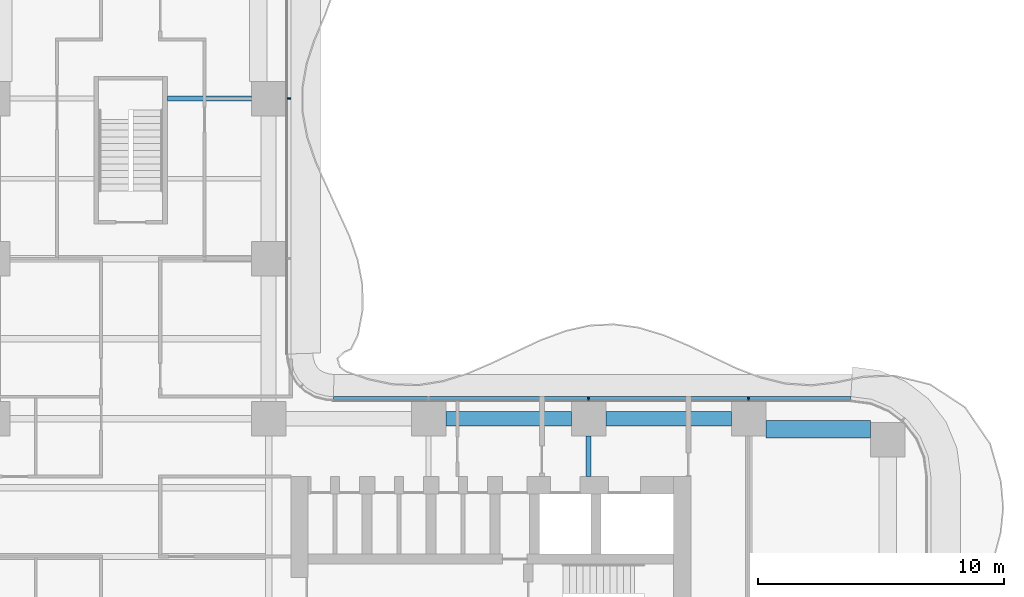
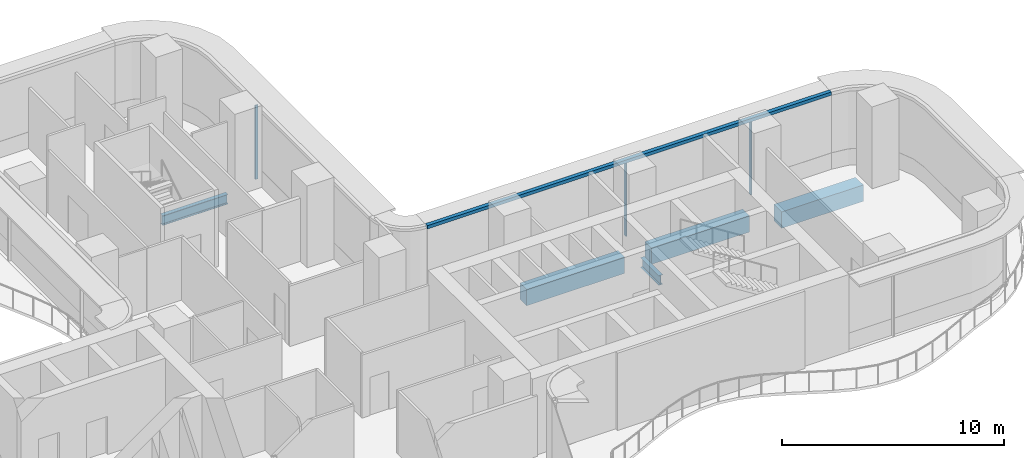
# One storey, part 11 of 23: 5 beams, 4 members, 2 elements without a shape of their own.
"""IFC4 building model written with IfcOpenShell, lengths in metres."""

from ifc_helpers import new_model, si_unit, direction, frame, origin, origin_2d, place, context, subcontext, project, spatial, polyline, rectangle, i_section, outline, extrude, source, transform, mapped, material, layer, layer_set, material_profile, profile_set, type_object, element, aggregate, save


model = new_model("IFC4")

# Units and contexts
model_context = context("Model", 3, precision=1e-05, world=origin(), true_north=direction((0.0, 1.0)))
body_context = subcontext(model_context, "Body", "Model", "MODEL_VIEW")
ifc_project = project(units=[si_unit("LENGTHUNIT", "METRE"), si_unit("AREAUNIT", "SQUARE_METRE"), si_unit("VOLUMEUNIT", "CUBIC_METRE"), si_unit("PLANEANGLEUNIT", "RADIAN"), si_unit("MASSUNIT", "GRAM", prefix="KILO")], contexts=[model_context])

# Site, building, storey
site_placement = place(None, origin())
site = spatial("IfcSite", under=ifc_project, at=site_placement, CompositionType="ELEMENT")
building_placement = place(site_placement, origin())
building = spatial("IfcBuilding", under=site, at=building_placement, Name="Trellis Farm Tower", CompositionType="ELEMENT")
storey_placement = place(building_placement, frame((0.0, 0.0, 74.5)))
storey = spatial("IfcBuildingStorey", under=building, at=storey_placement, Name="L15", CompositionType="ELEMENT", Elevation=74.5)

# Beams
ifc_material_1 = material(Name="Steel S355", Category="steel")
ifc_material_profile_1 = material_profile(ifc_material_1, i_section(OverallWidth=0.209228515625, OverallDepth=0.533203125, WebThickness=0.010009765625, FlangeThickness=0.015625, FilletRadius=0.0126953125, at=origin_2d()), Name="UB 533x210x92")
ifc_profile_set_1 = profile_set([ifc_material_profile_1], Name="Steel S355")
beam_type_1 = type_object("IfcBeamType", Name="UB 533x210x92", PredefinedType="BEAM", material=ifc_profile_set_1)
shared_shape_1 = source(origin(), body_context, "Body", "SweptSolid", [
    extrude(i_section(OverallWidth=0.209228515625, OverallDepth=0.533203125, WebThickness=0.010009765625, FlangeThickness=0.015625, FilletRadius=0.0126953125, at=origin_2d()), origin(), (0.0, 0.0, 1.0), 3.39990234375),
])
beam_1_placement = place(storey_placement, frame((1.5, 18.60009765625, -0.5166015625), z_axis=(1.0, 0.0, 0.0), x_axis=(0.0, 1.0, 0.0)))
element("IfcBeam", 1, at=beam_1_placement, inside=storey, type_object=beam_type_1, Name="Girder", PredefinedType="BEAM", context=body_context, shape_type="MappedRepresentation", body=[
    mapped(shared_shape_1, transform((0.0, 0.0, 0.0))),
])
ifc_material_2 = material(Name="Concrete C60/75", Category="concrete")
ifc_material_profile_2 = material_profile(ifc_material_2, rectangle(XDim=0.60009765625, YDim=0.89990234375, at=origin_2d()), Name="RC spandrel beam 600x900 C60/75")
ifc_profile_set_2 = profile_set([ifc_material_profile_2], Name="Concrete C60/75")
beam_type_2 = type_object("IfcBeamType", Name="RC spandrel beam 600x900 C60/75", PredefinedType="SPANDREL", material=ifc_profile_set_2)
shared_shape_2 = source(origin(), body_context, "Body", "SweptSolid", [
    extrude(rectangle(XDim=0.60009765625, YDim=0.89990234375, at=origin_2d()), origin(), (0.0, 0.0, 1.0), 5.099853515625),
])
for number, where, z_axis, x_axis, name in (
    (2, (12.800048828125, 5.60009765625, -0.699951171875), (1.0, 0.0, 0.0), (0.0, 1.0, 0.0), "Girder"),
    (3, (19.300048828125, 5.60009765625, -0.699951171875), (1.0, 0.0, 0.0), (0.0, 1.0, 0.0), "Girder"),
):
    element("IfcBeam", number, at=place(storey_placement, frame(where, z_axis=z_axis, x_axis=x_axis)), inside=storey, type_object=beam_type_2, Name=name, PredefinedType="SPANDREL", context=body_context, shape_type="MappedRepresentation", body=[
        mapped(shared_shape_2, transform((0.0, 0.0, 0.0))),
    ])
ifc_material_profile_3 = material_profile(ifc_material_2, rectangle(XDim=0.699951171875, YDim=0.89990234375, at=origin_2d()), Name="RC spandrel beam 700x900 C60/75")
ifc_profile_set_3 = profile_set([ifc_material_profile_3], Name="Concrete C60/75")
beam_type_3 = type_object("IfcBeamType", Name="RC spandrel beam 700x900 C60/75", PredefinedType="SPANDREL", material=ifc_profile_set_3)
shared_shape_3 = source(origin(), body_context, "Body", "SweptSolid", [
    extrude(rectangle(XDim=0.699951171875, YDim=0.89990234375, at=origin_2d()), origin(), (0.0, 0.0, 1.0), 4.25),
])
beam_2_placement = place(storey_placement, frame((25.800048828125, 5.175048828125, -0.699951171875), z_axis=(1.0, 0.0, 0.0), x_axis=(0.0, 1.0, 0.0)))
element("IfcBeam", 4, at=beam_2_placement, inside=storey, type_object=beam_type_3, Name="Girder", PredefinedType="SPANDREL", context=body_context, shape_type="MappedRepresentation", body=[
    mapped(shared_shape_3, transform((0.0, 0.0, 0.0))),
])
shared_shape_4 = source(origin(), body_context, "Body", "SweptSolid", [
    extrude(i_section(OverallWidth=0.209228515625, OverallDepth=0.533203125, WebThickness=0.010009765625, FlangeThickness=0.015625, FilletRadius=0.0126953125, at=origin_2d()), origin(), (0.0, 0.0, 1.0), 1.64990234375),
])
beam_3_placement = place(storey_placement, frame((18.60009765625, 3.25, -0.5166015625), z_axis=(0.0, 1.0, 0.0), x_axis=(-1.0, 0.0, 0.0)))
element("IfcBeam", 5, at=beam_3_placement, inside=storey, type_object=beam_type_1, Name="Girder", PredefinedType="BEAM", context=body_context, shape_type="MappedRepresentation", body=[
    mapped(shared_shape_4, transform((0.0, 0.0, 0.0))),
])

# Curtain wall, members
ifc_material_3 = material(Name="Aluminium and glass curtain wall", Category="aluminium")
ifc_layer_1 = layer(ifc_material_3, 0.18994140625)
ifc_layer_set_1 = layer_set([ifc_layer_1], Name="RIBBON CURTAIN WALL CW1")
curtain_wall_type = type_object("IfcCurtainWallType", Name="RIBBON CURTAIN WALL CW1", PredefinedType="NOTDEFINED", material=ifc_layer_set_1)
placement = place(storey_placement, origin())
curtain_wall_1 = element("IfcCurtainWall", 6, at=placement, inside=storey, type_object=curtain_wall_type, Name="CW1 008", PredefinedType="NOTDEFINED")
ifc_material_4 = material(Name="Aluminium extrusion 6063-T6", Category="aluminium")
ifc_material_profile_4 = material_profile(ifc_material_4, rectangle(XDim=0.06005859375, YDim=0.14990234375, at=origin_2d()), Name="MULLION 60x150")
ifc_profile_set_4 = profile_set([ifc_material_profile_4], Name="Aluminium extrusion 6063-T6")
member_type_1 = type_object("IfcMemberType", Name="CW1 MULLION 60x150", PredefinedType="MULLION", material=ifc_profile_set_4)
shared_shape_5 = source(origin(), body_context, "Body", "SweptSolid", [
    extrude(rectangle(XDim=0.06005859375, YDim=0.14990234375, at=origin_2d()), origin(), (0.0, 0.0, 1.0), 4.070068359375),
])
member_1_placement = place(storey_placement, frame((25.10009765625, 6.425048828125, 0.0), z_axis=(0.0, 0.0, 1.0), x_axis=(-1.0, 0.0, 0.0)))
member_1 = element("IfcMember", 7, at=member_1_placement, type_object=member_type_1, Name="MU1 008-01", PredefinedType="MULLION", context=body_context, shape_type="MappedRepresentation", body=[
    mapped(shared_shape_5, transform((0.0, 0.0, 0.0))),
])
member_2_placement = place(storey_placement, frame((18.60009765625, 6.425048828125, 0.0), z_axis=(0.0, 0.0, 1.0), x_axis=(-1.0, 0.0, 0.0)))
member_2 = element("IfcMember", 8, at=member_2_placement, type_object=member_type_1, Name="MU1 008-02", PredefinedType="MULLION", context=body_context, shape_type="MappedRepresentation", body=[
    mapped(shared_shape_5, transform((0.0, 0.0, 0.0))),
])

# Curtain wall, member
curtain_wall_2 = element("IfcCurtainWall", 9, at=placement, inside=storey, type_object=curtain_wall_type, Name="CW1 009", PredefinedType="NOTDEFINED")
member_3_placement = place(storey_placement, frame((6.425048828125, 18.60009765625, 0.0), z_axis=(0.0, 0.0, 1.0), x_axis=(0.0, 1.0, 0.0)))
member_3 = element("IfcMember", 10, at=member_3_placement, type_object=member_type_1, Name="MU1 009-02", PredefinedType="MULLION", context=body_context, shape_type="MappedRepresentation", body=[
    mapped(shared_shape_5, transform((0.0, 0.0, 0.0))),
])
aggregate(curtain_wall_2, [member_3])

# Member
ifc_layer_2 = layer(ifc_material_4, 0.199951171875)
ifc_layer_set_2 = layer_set([ifc_layer_2], Name="Aluminium extrusion 6063-T6")
member_type_2 = type_object("IfcMemberType", Name="CW1 TRANSOM 200x180", PredefinedType="USERDEFINED", material=ifc_layer_set_2)
shared_shape_6 = source(origin(), body_context, "Body", "SweptSolid", [
    extrude(outline(polyline([(29.25, 6.5), (8.2314453125, 6.5), (8.224853515625, 6.300048828125), (29.23681640625, 6.300048828125), (29.25, 6.5)])), origin(), (0.0, 0.0, 1.0), 0.179931640625),
])
member_4_placement = place(storey_placement, frame((0.0, 0.0, 4.070068359375)))
member_4 = element("IfcMember", 11, at=member_4_placement, type_object=member_type_2, Name="TR1 008", ObjectType="TRANSOM", PredefinedType="USERDEFINED", context=body_context, shape_type="MappedRepresentation", body=[
    mapped(shared_shape_6, transform((0.0, 0.0, 0.0))),
])

aggregate(curtain_wall_1, [member_1, member_2, member_4])

save(model, "model.ifc")
